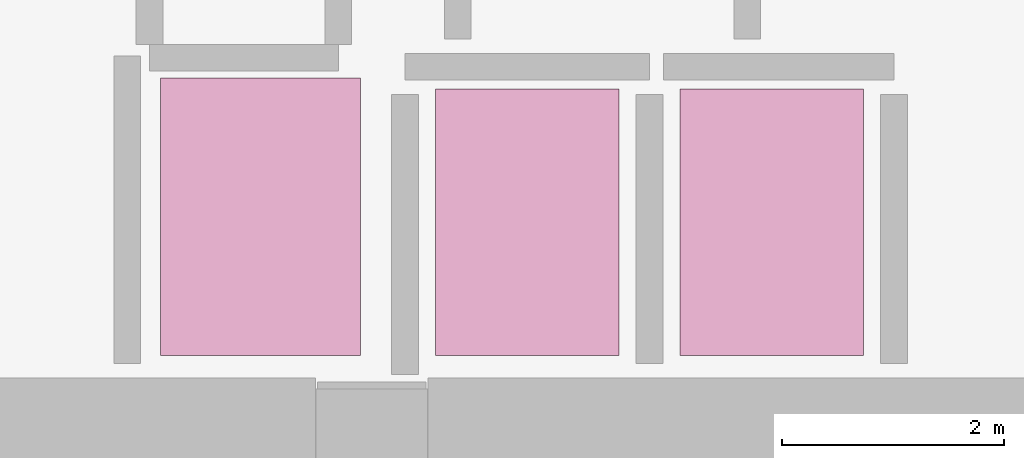
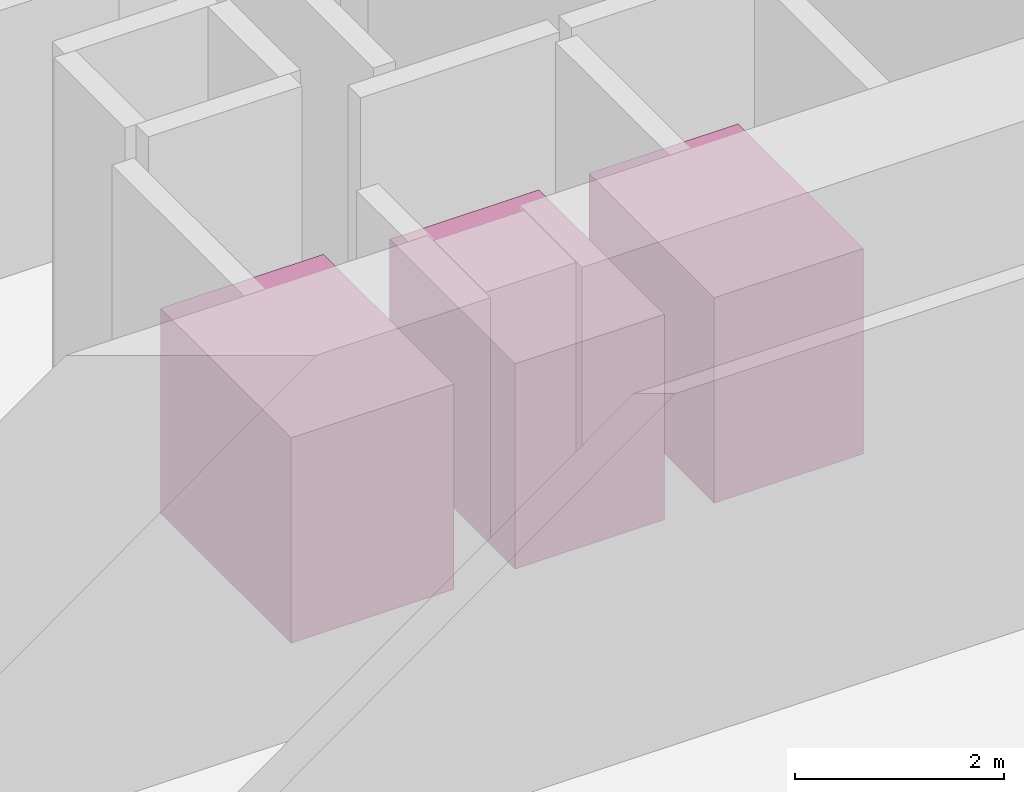
# One storey, part 13 of 13: 3 transport elements.
"""IFC4 building model written with IfcOpenShell, lengths in metres."""

from ifc_helpers import new_model, si_unit, direction, frame, origin, origin_2d, place, context, subcontext, project, spatial, rectangle, extrude, material, type_object, element, save


model = new_model("IFC4")

# Units and contexts
model_context = context("Model", 3, precision=1e-05, world=origin(), true_north=direction((0.0, 1.0)))
body_context = subcontext(model_context, "Body", "Model", "MODEL_VIEW")
ifc_project = project(units=[si_unit("LENGTHUNIT", "METRE"), si_unit("AREAUNIT", "SQUARE_METRE"), si_unit("VOLUMEUNIT", "CUBIC_METRE"), si_unit("PLANEANGLEUNIT", "RADIAN"), si_unit("MASSUNIT", "GRAM", prefix="KILO")], contexts=[model_context])

# Site, building, storey
site_placement = place(None, origin())
site = spatial("IfcSite", under=ifc_project, at=site_placement, CompositionType="ELEMENT")
building_placement = place(site_placement, origin())
building = spatial("IfcBuilding", under=site, at=building_placement, Name="Solanera Arch Residences", CompositionType="ELEMENT")
storey_placement = place(building_placement, frame((0.0, 0.0, -13.199951171875)))
storey = spatial("IfcBuildingStorey", under=building, at=storey_placement, Name="B03", CompositionType="ELEMENT", Elevation=-13.199951171875)

# Transport elements
ifc_material_1 = material(Name="Stainless Steel EN 1.4301 Lift Car", Category="steel")
transport_element_type_1 = type_object("IfcTransportElementType", Name="Elevator Car Firefighter Emergency Lift 1 1650x2400", PredefinedType="ELEVATOR", material=ifc_material_1)
transport_element_1_placement = place(storey_placement, frame((30.60009765625, 24.0, 0.0), z_axis=(0.0, 0.0, 1.0), x_axis=(1.0, 0.0, 0.0)))
element("IfcTransportElement", 1, at=transport_element_1_placement, inside=storey, type_object=transport_element_type_1, Name="Elevator Car FFL-1", PredefinedType="ELEVATOR", context=body_context, shape_type="SweptSolid", body=[
    extrude(rectangle(XDim=1.64990234375, YDim=2.39990234375, at=origin_2d()), origin(), (0.0, 0.0, 1.0), 2.39990234375),
])
ifc_material_2 = material(Name="Stainless Steel EN 1.4301 Lift Car", Category="steel")
transport_element_type_2 = type_object("IfcTransportElementType", Name="Elevator Car Firefighter Emergency Lift 2 1650x2400", PredefinedType="ELEVATOR", material=ifc_material_2)
transport_element_2_placement = place(storey_placement, frame((32.800048828125, 24.0, 0.0), z_axis=(0.0, 0.0, 1.0), x_axis=(1.0, 0.0, 0.0)))
element("IfcTransportElement", 2, at=transport_element_2_placement, inside=storey, type_object=transport_element_type_2, Name="Elevator Car FFL-2", PredefinedType="ELEVATOR", context=body_context, shape_type="SweptSolid", body=[
    extrude(rectangle(XDim=1.64990234375, YDim=2.39990234375, at=origin_2d()), origin(), (0.0, 0.0, 1.0), 2.39990234375),
])
ifc_material_3 = material(Name="Stainless Steel EN 1.4301 Lift Car", Category="steel")
transport_element_type_3 = type_object("IfcTransportElementType", Name="Elevator Car Tower Heavy Goods Service Lift 1800x2500", PredefinedType="ELEVATOR", material=ifc_material_3)
transport_element_3_placement = place(storey_placement, frame((28.199951171875, 24.050048828125, 0.0), z_axis=(0.0, 0.0, 1.0), x_axis=(1.0, 0.0, 0.0)))
element("IfcTransportElement", 3, at=transport_element_3_placement, inside=storey, type_object=transport_element_type_3, Name="Elevator Car SVL-1", PredefinedType="ELEVATOR", context=body_context, shape_type="SweptSolid", body=[
    extrude(rectangle(XDim=1.800048828125, YDim=2.5, at=origin_2d()), origin(), (0.0, 0.0, 1.0), 2.39990234375),
])

save(model, "model.ifc")
